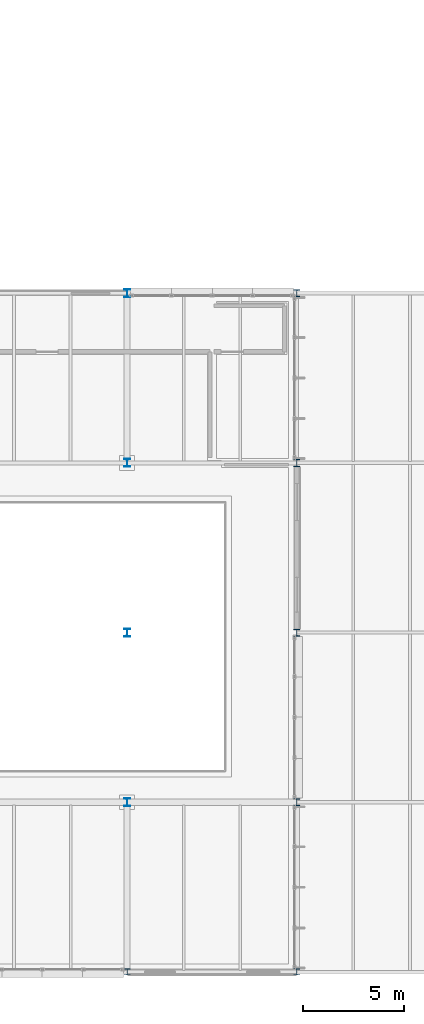
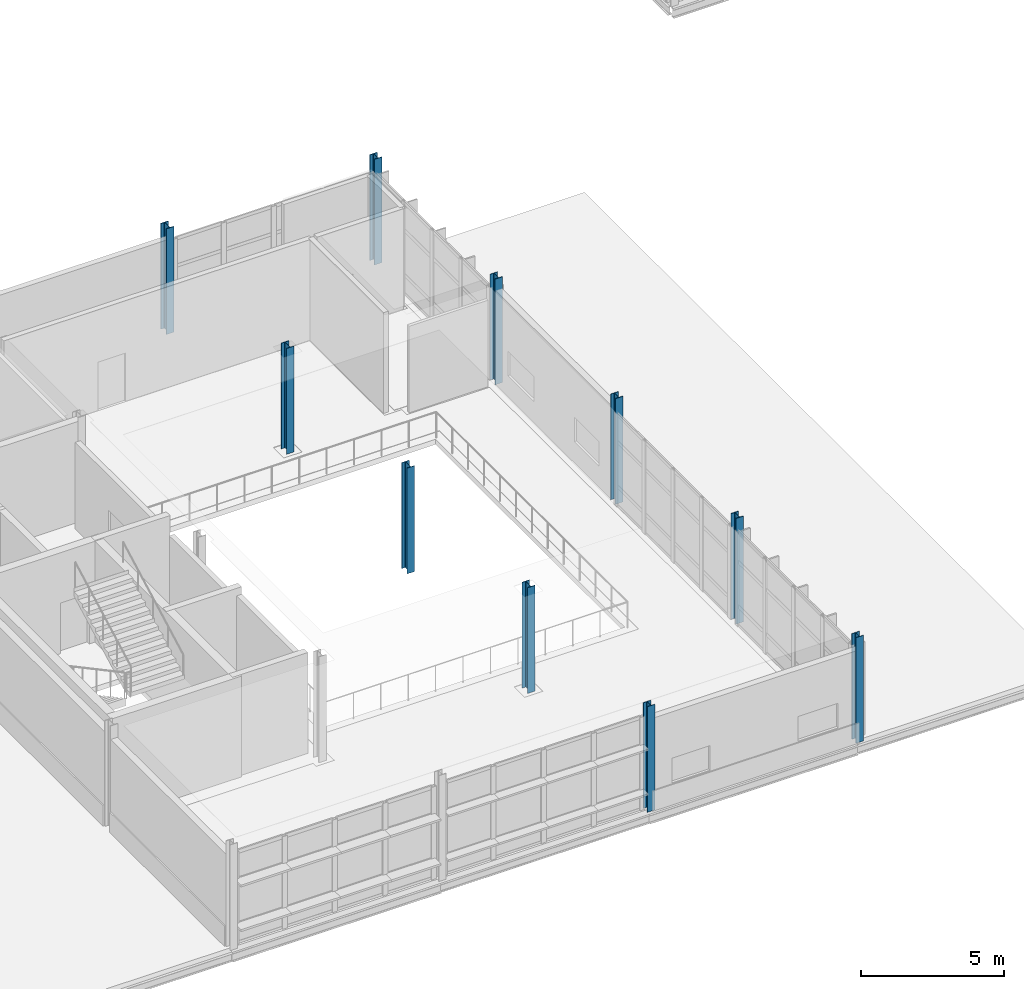
# One storey, part 14 of 129: 10 columns.
"""IFC4 building model written with IfcOpenShell, lengths in metres."""

from ifc_helpers import new_model, si_unit, direction, frame, origin, origin_2d, place, context, subcontext, project, spatial, i_section, extrude, material, material_profile, profile_set, type_object, element, save


model = new_model("IFC4")

# Units and contexts
model_context = context("Model", 3, precision=1e-05, world=origin(), true_north=direction((0.0, 1.0)))
body_context = subcontext(model_context, "Body", "Model", "MODEL_VIEW")
ifc_project = project(units=[si_unit("LENGTHUNIT", "METRE"), si_unit("AREAUNIT", "SQUARE_METRE"), si_unit("VOLUMEUNIT", "CUBIC_METRE"), si_unit("PLANEANGLEUNIT", "RADIAN"), si_unit("MASSUNIT", "GRAM", prefix="KILO")], contexts=[model_context])

# Site, building, storey
site_placement = place(None, origin())
site = spatial("IfcSite", under=ifc_project, at=site_placement, CompositionType="ELEMENT")
building_placement = place(site_placement, origin())
building = spatial("IfcBuilding", under=site, at=building_placement, Name="Mersafa Astral City Hall", CompositionType="ELEMENT")
storey_placement = place(building_placement, frame((0.0, 0.0, 5.39990234375)))
storey = spatial("IfcBuildingStorey", under=building, at=storey_placement, Name="L01", CompositionType="ELEMENT", Elevation=5.39990234375)

# Columns
ifc_material = material(Name="Steel S355", Category="steel")
ifc_material_profile_1 = material_profile(ifc_material, i_section(OverallWidth=0.300048828125, OverallDepth=0.300048828125, WebThickness=0.010986328125, FlangeThickness=0.01904296875, FilletRadius=0.027099609375, at=origin_2d()), Name="HEB 300")
ifc_profile_set_1 = profile_set([ifc_material_profile_1], Name="Steel S355")
column_type_1 = type_object("IfcColumnType", Name="STR-COL-HEB300", PredefinedType="COLUMN", material=ifc_profile_set_1)
for number, where, z_axis, x_axis, name in (
    (1, (134.39990234375, 0.0, 0.0), (0.0, 0.0, 1.0), (1.0, 0.0, 0.0), "L01 Structural column G-16-00"),
    (2, (142.800048828125, 0.0, 0.0), (0.0, 0.0, 1.0), (1.0, 0.0, 0.0), "L01 Structural column G-17-00"),
):
    element("IfcColumn", number, at=place(storey_placement, frame(where, z_axis=z_axis, x_axis=x_axis)), inside=storey, type_object=column_type_1, Name=name, PredefinedType="COLUMN", context=body_context, shape_type="SweptSolid", body=[
        extrude(i_section(OverallWidth=0.300048828125, OverallDepth=0.300048828125, WebThickness=0.010986328125, FlangeThickness=0.01904296875, FilletRadius=0.027099609375, at=origin_2d()), origin(), (0.0, 0.0, 1.0), 4.5),
    ])
ifc_material_profile_2 = material_profile(ifc_material, i_section(OverallWidth=0.300048828125, OverallDepth=0.340087890625, WebThickness=0.011962890625, FlangeThickness=0.021484375, FilletRadius=0.027099609375, at=origin_2d()), Name="HEB 340")
ifc_profile_set_2 = profile_set([ifc_material_profile_2], Name="Steel S355")
column_type_2 = type_object("IfcColumnType", Name="STR-COL-HEB340", PredefinedType="COLUMN", material=ifc_profile_set_2)
for number, where, z_axis, x_axis, name in (
    (3, (142.800048828125, 16.800048828125, 0.0), (0.0, 0.0, 1.0), (1.0, 0.0, 0.0), "L01 Structural column G-17-02"),
    (4, (142.800048828125, 33.60009765625, 0.0), (0.0, 0.0, 1.0), (1.0, 0.0, 0.0), "L01 Structural column G-17-04"),
):
    element("IfcColumn", number, at=place(storey_placement, frame(where, z_axis=z_axis, x_axis=x_axis)), inside=storey, type_object=column_type_2, Name=name, PredefinedType="COLUMN", context=body_context, shape_type="SweptSolid", body=[
        extrude(i_section(OverallWidth=0.300048828125, OverallDepth=0.340087890625, WebThickness=0.011962890625, FlangeThickness=0.021484375, FilletRadius=0.027099609375, at=origin_2d()), origin(), (0.0, 0.0, 1.0), 4.5),
    ])
ifc_material_profile_3 = material_profile(ifc_material, i_section(OverallWidth=0.300048828125, OverallDepth=0.360107421875, WebThickness=0.012451171875, FlangeThickness=0.0224609375, FilletRadius=0.027099609375, at=origin_2d()), Name="HEB 360")
ifc_profile_set_3 = profile_set([ifc_material_profile_3], Name="Steel S355")
column_type_3 = type_object("IfcColumnType", Name="STR-COL-HEB360", PredefinedType="COLUMN", material=ifc_profile_set_3)
for number, where, z_axis, x_axis, name in (
    (5, (142.800048828125, 8.39990234375, 0.0), (0.0, 0.0, 1.0), (1.0, 0.0, 0.0), "L01 Structural column G-17-01"),
    (6, (142.800048828125, 25.199951171875, 0.0), (0.0, 0.0, 1.0), (1.0, 0.0, 0.0), "L01 Structural column G-17-03"),
):
    element("IfcColumn", number, at=place(storey_placement, frame(where, z_axis=z_axis, x_axis=x_axis)), inside=storey, type_object=column_type_3, Name=name, PredefinedType="COLUMN", context=body_context, shape_type="SweptSolid", body=[
        extrude(i_section(OverallWidth=0.300048828125, OverallDepth=0.360107421875, WebThickness=0.012451171875, FlangeThickness=0.0224609375, FilletRadius=0.027099609375, at=origin_2d()), origin(), (0.0, 0.0, 1.0), 4.5),
    ])
ifc_material_profile_4 = material_profile(ifc_material, i_section(OverallWidth=0.300048828125, OverallDepth=0.39990234375, WebThickness=0.013427734375, FlangeThickness=0.02392578125, FilletRadius=0.027099609375, at=origin_2d()), Name="HEB 400")
ifc_profile_set_4 = profile_set([ifc_material_profile_4], Name="Steel S355")
column_type_4 = type_object("IfcColumnType", Name="STR-COL-HEB400", PredefinedType="COLUMN", material=ifc_profile_set_4)
for number, where, z_axis, x_axis, name in (
    (7, (134.39990234375, 8.39990234375, 0.0), (0.0, 0.0, 1.0), (1.0, 0.0, 0.0), "L01 Structural column G-16-01"),
    (8, (134.39990234375, 16.800048828125, 0.0), (0.0, 0.0, 1.0), (1.0, 0.0, 0.0), "L01 Structural column G-16-02"),
    (9, (134.39990234375, 25.199951171875, 0.0), (0.0, 0.0, 1.0), (1.0, 0.0, 0.0), "L01 Structural column G-16-03"),
    (10, (134.39990234375, 33.60009765625, 0.0), (0.0, 0.0, 1.0), (1.0, 0.0, 0.0), "L01 Structural column G-16-04"),
):
    element("IfcColumn", number, at=place(storey_placement, frame(where, z_axis=z_axis, x_axis=x_axis)), inside=storey, type_object=column_type_4, Name=name, PredefinedType="COLUMN", context=body_context, shape_type="SweptSolid", body=[
        extrude(i_section(OverallWidth=0.300048828125, OverallDepth=0.39990234375, WebThickness=0.013427734375, FlangeThickness=0.02392578125, FilletRadius=0.027099609375, at=origin_2d()), origin(), (0.0, 0.0, 1.0), 4.5),
    ])

save(model, "model.ifc")
